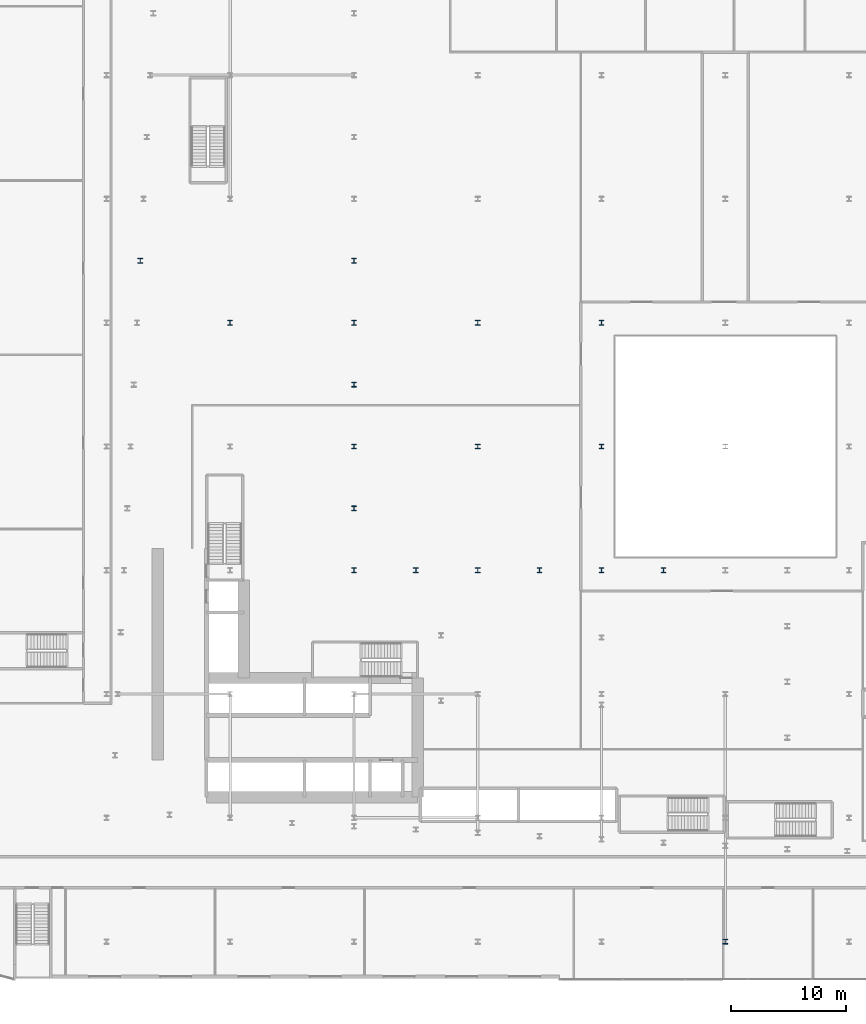
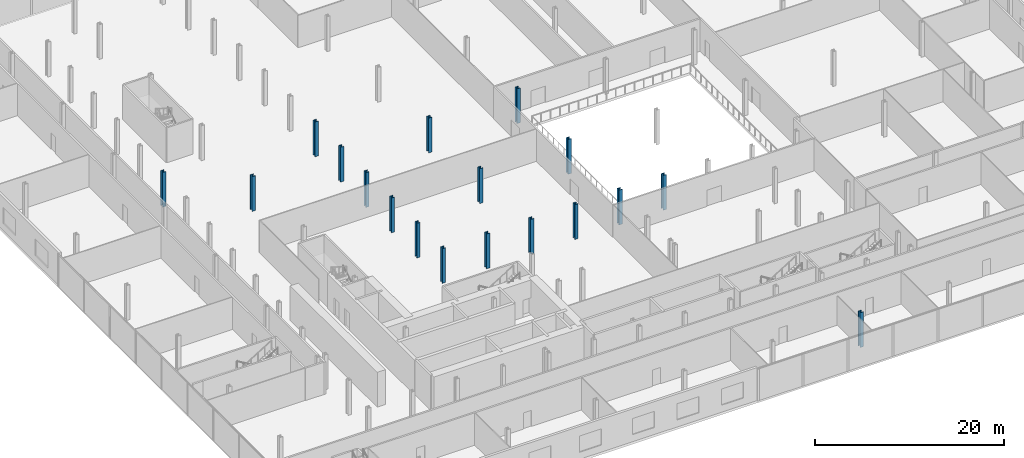
# One storey, part 2 of 47: 18 columns.
"""IFC4 building model written with IfcOpenShell, lengths in metres."""

import ifcopenshell
import ifcopenshell.guid

model = None  # the IFC model being written
_history = None  # IfcOwnerHistory: only IFC2X3 demands one
_inside = {}  # id of a spatial element -> (the spatial element, [elements in it])
_under = {}  # id of a project, library or spatial element -> (it, [spatial elements below it])
_declared = {}  # id of a project -> (the project, [libraries it declares])
_typed = {}  # id of a type object -> (the type object, [elements of that type])
_made_of = {}  # id of a material, layer set ... -> (it, [elements and type objects made of it])


def new_model(schema):
    """Start an empty IFC model of exactly this schema.

    Asked for "IFC4X3", IfcOpenShell would pick the latest addendum, in which some entities
    have other attributes; the version numbers below select the first issue.
    IFC2X3 requires an IfcOwnerHistory on every rooted entity: one is made here for all.
    """
    global model, _history
    if schema == "IFC4X3":
        model = ifcopenshell.file(schema_version=(4, 3, 0, 0))
    else:
        model = ifcopenshell.file(schema=schema)
    _inside.clear()
    _under.clear()
    _declared.clear()
    _typed.clear()
    _made_of.clear()
    _history = None
    if model.schema == "IFC2X3":
        org = make("IfcOrganization", Name="unknown")
        user = make(
            "IfcPersonAndOrganization",
            ThePerson=make("IfcPerson", FamilyName="unknown"),
            TheOrganization=org,
        )
        app = make(
            "IfcApplication",
            ApplicationDeveloper=org,
            Version="unknown",
            ApplicationFullName="unknown",
            ApplicationIdentifier="unknown",
        )
        _history = make(
            "IfcOwnerHistory",
            OwningUser=user,
            OwningApplication=app,
            ChangeAction="ADDED",
            CreationDate=0,
        )
    return model


def make(cls, **values):
    """One entity of the class cls with the attributes given. An attribute that is None is left unset."""
    return model.create_entity(
        cls, **{name: value for name, value in values.items() if value is not None}
    )


def rooted(cls, **values):
    """An entity with a GlobalId (a new one), such as an element, a storey or a relation."""
    return make(cls, GlobalId=ifcopenshell.guid.new(), OwnerHistory=_history, **values)


def si_unit(unit_type, name, prefix=None):
    """IfcSIUnit, for example si_unit("LENGTHUNIT", "METRE", prefix="MILLI")."""
    return make("IfcSIUnit", UnitType=unit_type, Prefix=prefix, Name=name)


def assignment(units):
    """IfcUnitAssignment: the units of a project."""
    return None if units is None else make("IfcUnitAssignment", Units=units)


def point(xyz):
    """IfcCartesianPoint."""
    return None if xyz is None else make("IfcCartesianPoint", Coordinates=xyz)


def direction(xyz):
    """IfcDirection."""
    return None if xyz is None else make("IfcDirection", DirectionRatios=xyz)


def frame(location, z_axis=None, x_axis=None):
    """IfcAxis2Placement3D, a coordinate frame: its origin and axes. An axis left out is left unset."""
    return make(
        "IfcAxis2Placement3D",
        Location=point(location),
        Axis=direction(z_axis),
        RefDirection=direction(x_axis),
    )


def frame_2d(location, x_axis=None):
    """IfcAxis2Placement2D, a coordinate frame in the plane: its origin and x axis."""
    return make(
        "IfcAxis2Placement2D", Location=point(location), RefDirection=direction(x_axis)
    )


def origin():
    """The frame at (0, 0, 0) with its axes left unset."""
    return frame((0.0, 0.0, 0.0))


def origin_2d():
    """The frame at (0, 0) in the plane with its x axis left unset."""
    return frame_2d((0.0, 0.0))


def place(relative_to, where):
    """IfcLocalPlacement: puts the frame where relative to a parent placement (None: the world)."""
    return make(
        "IfcLocalPlacement", PlacementRelTo=relative_to, RelativePlacement=where
    )


def context(
    kind, dimensions, precision=None, world=None, true_north=None, identifier=None
):
    """IfcGeometricRepresentationContext, for example the 3D "Model" context."""
    return make(
        "IfcGeometricRepresentationContext",
        ContextIdentifier=identifier,
        ContextType=kind,
        CoordinateSpaceDimension=dimensions,
        Precision=precision,
        WorldCoordinateSystem=world,
        TrueNorth=true_north,
    )


def subcontext(parent, identifier, kind, view, scale=None):
    """IfcGeometricRepresentationSubContext, for example "Body" below "Model"."""
    return make(
        "IfcGeometricRepresentationSubContext",
        ContextIdentifier=identifier,
        ContextType=kind,
        ParentContext=parent,
        TargetScale=scale,
        TargetView=view,
    )


def project(units=None, contexts=None):
    """IfcProject with its units and contexts."""
    return rooted(
        "IfcProject",
        Name="project",
        RepresentationContexts=contexts,
        UnitsInContext=assignment(units),
    )


def spatial(cls, under=None, at=None, **own):
    """A site, building, storey or space (cls), placed at a placement, below another one or the project."""
    s = rooted(cls, ObjectPlacement=at, **own)
    if under is not None:
        _under.setdefault(under.id(), (under, []))[1].append(s)
    return s


def profile(cls, at=None, kind="AREA", **sizes):
    """A parametric profile (cls). Its sizes go by their IFC names, for example OverallWidth=200.0."""
    return make(cls, ProfileType=kind, Position=at, **sizes)


def i_section(**sizes):
    """IfcIShapeProfileDef."""
    return profile("IfcIShapeProfileDef", **sizes)


def extrude(swept, where, along, depth):
    """IfcExtrudedAreaSolid: the profile swept, set in the frame where, extruded along a direction by depth."""
    return make(
        "IfcExtrudedAreaSolid",
        SweptArea=swept,
        Position=where,
        ExtrudedDirection=direction(along),
        Depth=depth,
    )


def shape(context_of_items, identifier, shape_type, items):
    """IfcShapeRepresentation: the items that make up one representation, for example the "Body"."""
    return make(
        "IfcShapeRepresentation",
        ContextOfItems=context_of_items,
        RepresentationIdentifier=identifier,
        RepresentationType=shape_type,
        Items=items,
    )


def material(Name=None, Category=None):
    """IfcMaterial."""
    return make("IfcMaterial", Name=Name, Category=Category)


def material_profile(
    of_material, cross_section, Name=None, Category=None, Priority=None
):
    """IfcMaterialProfile: a cross section and its material."""
    return make(
        "IfcMaterialProfile",
        Name=Name,
        Material=of_material,
        Profile=cross_section,
        Priority=Priority,
        Category=Category,
    )


def profile_set(profiles, Name=None, composite=None):
    """IfcMaterialProfileSet."""
    return make(
        "IfcMaterialProfileSet",
        Name=Name,
        MaterialProfiles=profiles,
        CompositeProfile=composite,
    )


def made_of(thing, what):
    """Note that an element or type object is made of a material, layer set ...; save() writes the relation."""
    if what is not None:
        _made_of.setdefault(what.id(), (what, []))[1].append(thing)
    return thing


def type_object(cls, material=None, **own):
    """A type object (cls), such as IfcWallType, which elements share."""
    return made_of(rooted(cls, **own), material)


def element(
    cls,
    number,
    at=None,
    inside=None,
    cuts=None,
    type_object=None,
    material=None,
    context=None,
    identifier="Body",
    shape_type=None,
    held_by="IfcProductDefinitionShape",
    body=None,
    shapes=None,
    **own,
):
    """One element of the class cls, such as IfcWall. Its Tag is "e" and its number.

    at: its placement. inside: the storey or other place that contains it. cuts: it is an
    opening in that element (IfcRelVoidsElement). A single representation is given by context,
    identifier, shape_type and body (its items); several are given by shapes. held_by: the class
    of the entity that holds the representations. save() writes the other relations.
    """
    e = rooted(cls, Tag="e%d" % number, ObjectPlacement=at, **own)
    if body is not None:
        shapes = [shape(context, identifier, shape_type, body)]
    if shapes is not None:
        e.Representation = make(held_by, Representations=shapes)
    if inside is not None:
        _inside.setdefault(inside.id(), (inside, []))[1].append(e)
    if cuts is not None:
        rooted(
            "IfcRelVoidsElement", RelatingBuildingElement=cuts, RelatedOpeningElement=e
        )
    if type_object is not None:
        _typed.setdefault(type_object.id(), (type_object, []))[1].append(e)
    return made_of(e, material)


def aggregate(whole, parts):
    """IfcRelAggregates: a whole, such as a stair, and the parts it consists of."""
    return rooted("IfcRelAggregates", RelatingObject=whole, RelatedObjects=parts)


def save(model, path):
    """Write the relations noted so far, then the file.

    IfcRelAggregates (storeys below a building ...), IfcRelContainedInSpatialStructure (elements
    in a storey), IfcRelDefinesByType, IfcRelAssociatesMaterial and IfcRelDeclares: one each for
    every whole, place, type object, material and project.
    """
    for whole, parts in _under.values():
        aggregate(whole, parts)
    for where, things in _inside.values():
        rooted(
            "IfcRelContainedInSpatialStructure",
            RelatedElements=things,
            RelatingStructure=where,
        )
    for kind, things in _typed.values():
        rooted("IfcRelDefinesByType", RelatedObjects=things, RelatingType=kind)
    for what, things in _made_of.values():
        rooted("IfcRelAssociatesMaterial", RelatedObjects=things, RelatingMaterial=what)
    for by, libraries in _declared.values():
        rooted("IfcRelDeclares", RelatingContext=by, RelatedDefinitions=libraries)
    model.write(path)


model = new_model("IFC4")

# Units and contexts
model_context = context("Model", 3, precision=1e-05, world=origin(), true_north=direction((0.0, 1.0)))
body_context = subcontext(model_context, "Body", "Model", "MODEL_VIEW")
ifc_project = project(units=[si_unit("LENGTHUNIT", "METRE"), si_unit("AREAUNIT", "SQUARE_METRE"), si_unit("VOLUMEUNIT", "CUBIC_METRE"), si_unit("PLANEANGLEUNIT", "RADIAN"), si_unit("MASSUNIT", "GRAM", prefix="KILO")], contexts=[model_context])

# Site, building, storey
site_placement = place(None, origin())
site = spatial("IfcSite", under=ifc_project, at=site_placement, CompositionType="ELEMENT")
building_placement = place(site_placement, origin())
building = spatial("IfcBuilding", under=site, at=building_placement, Name="Kheshtan School and Residences Tower", CompositionType="ELEMENT")
storey_placement = place(building_placement, frame((0.0, 0.0, 17.0)))
storey = spatial("IfcBuildingStorey", under=building, at=storey_placement, Name="L03", CompositionType="ELEMENT", Elevation=17.0)

# Columns
ifc_material = material(Name="Steel ASTM A992 Grade 50", Category="steel")
ifc_material_profile = material_profile(ifc_material, i_section(OverallWidth=0.408935546875, OverallDepth=0.425048828125, WebThickness=0.03271484375, FlangeThickness=0.052490234375, FilletRadius=0.0126953125, at=origin_2d()), Name="W360x421")
ifc_profile_set = profile_set([ifc_material_profile], Name="Steel ASTM A992 Grade 50")
column_type = type_object("IfcColumnType", Name="Column PC2 W360x421 ASTM A992 Grade 50", PredefinedType="COLUMN", material=ifc_profile_set)
for number, where, z_axis, x_axis, name in (
    (1, (80.0, 13.199951171875, 0.0), (0.0, 0.0, 1.0), (1.0, 0.0, 0.0), "Column P-007"),
    (2, (47.60009765625, 45.60009765625, 0.0), (0.0, 0.0, 1.0), (1.0, 0.0, 0.0), "Column P-040"),
    (3, (58.39990234375, 45.60009765625, 0.0), (0.0, 0.0, 1.0), (1.0, 0.0, 0.0), "Column P-041"),
    (4, (69.199951171875, 45.60009765625, 0.0), (0.0, 0.0, 1.0), (1.0, 0.0, 0.0), "Column P-042"),
    (5, (47.60009765625, 56.39990234375, 0.0), (0.0, 0.0, 1.0), (1.0, 0.0, 0.0), "Column P-052"),
    (6, (58.39990234375, 56.39990234375, 0.0), (0.0, 0.0, 1.0), (1.0, 0.0, 0.0), "Column P-053"),
    (7, (69.199951171875, 56.39990234375, 0.0), (0.0, 0.0, 1.0), (1.0, 0.0, 0.0), "Column P-054"),
    (8, (36.800048828125, 67.199951171875, 0.0), (0.0, 0.0, 1.0), (1.0, 0.0, 0.0), "Column P-063"),
    (9, (47.60009765625, 67.199951171875, 0.0), (0.0, 0.0, 1.0), (1.0, 0.0, 0.0), "Column P-064"),
    (10, (58.39990234375, 67.199951171875, 0.0), (0.0, 0.0, 1.0), (1.0, 0.0, 0.0), "Column P-065"),
    (11, (69.199951171875, 67.199951171875, 0.0), (0.0, 0.0, 1.0), (1.0, 0.0, 0.0), "Column P-066"),
    (12, (53.0, 45.60009765625, 0.0), (0.0, 0.0, 1.0), (1.0, 0.0, 0.0), "Transfer column X16"),
    (13, (63.800048828125, 45.60009765625, 0.0), (0.0, 0.0, 1.0), (1.0, 0.0, 0.0), "Transfer column X17"),
    (14, (74.60009765625, 45.60009765625, 0.0), (0.0, 0.0, 1.0), (1.0, 0.0, 0.0), "Transfer column X18"),
    (15, (47.60009765625, 51.0, 0.0), (0.0, 0.0, 1.0), (1.0, 0.0, 0.0), "Transfer column X21"),
    (16, (47.60009765625, 61.800048828125, 0.0), (0.0, 0.0, 1.0), (1.0, 0.0, 0.0), "Transfer column X24"),
    (17, (28.9599609375, 72.60009765625, 0.0), (0.0, 0.0, 1.0), (1.0, 0.0, 0.0), "Transfer column X26"),
    (18, (47.60009765625, 72.60009765625, 0.0), (0.0, 0.0, 1.0), (1.0, 0.0, 0.0), "Transfer column X27"),
):
    element("IfcColumn", number, at=place(storey_placement, frame(where, z_axis=z_axis, x_axis=x_axis)), inside=storey, type_object=column_type, Name=name, PredefinedType="COLUMN", context=body_context, shape_type="SweptSolid", body=[
        extrude(i_section(OverallWidth=0.408935546875, OverallDepth=0.425048828125, WebThickness=0.03271484375, FlangeThickness=0.052490234375, FilletRadius=0.0126953125, at=origin_2d()), origin(), (0.0, 0.0, 1.0), 4.5),
    ])

save(model, "model.ifc")
